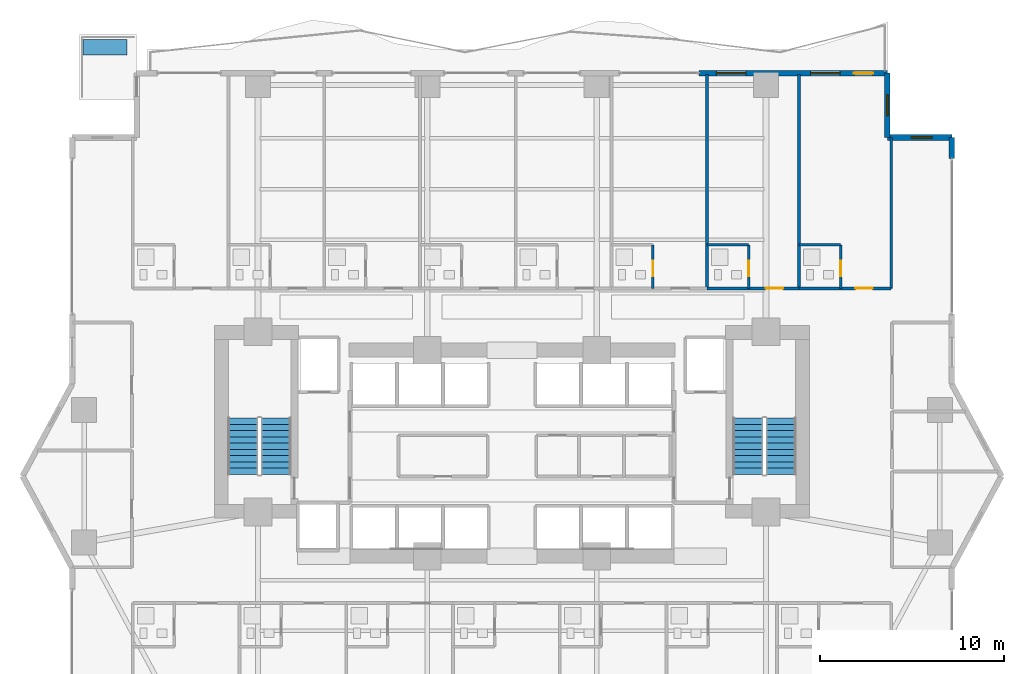
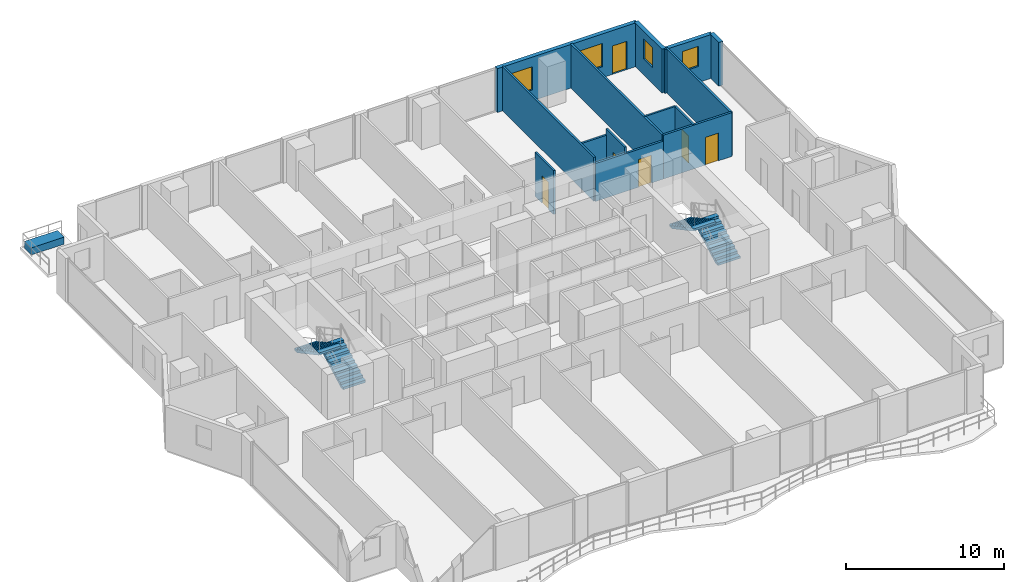
# One storey, part 25 of 29: 14 walls, 6 doors, 4 stair flights, 4 windows, 1 building element part, 10 openings, 2 elements without a shape of their own.
"""IFC4 building model written with IfcOpenShell, lengths in metres."""

from ifc_helpers import new_model, si_unit, direction, frame, frame_2d, origin, origin_2d, place, context, subcontext, project, spatial, polyline, rectangle, outline, extrude, material, layer, layer_set, type_object, element, fill, aggregate, save


model = new_model("IFC4")

# Units and contexts
model_context = context("Model", 3, precision=1e-05, world=origin(), true_north=direction((0.0, 1.0)))
body_context = subcontext(model_context, "Body", "Model", "MODEL_VIEW")
ifc_project = project(units=[si_unit("LENGTHUNIT", "METRE"), si_unit("AREAUNIT", "SQUARE_METRE"), si_unit("VOLUMEUNIT", "CUBIC_METRE"), si_unit("PLANEANGLEUNIT", "RADIAN"), si_unit("MASSUNIT", "GRAM", prefix="KILO")], contexts=[model_context])

# Site, building, storey
site_placement = place(None, origin())
site = spatial("IfcSite", under=ifc_project, at=site_placement, CompositionType="ELEMENT")
building_placement = place(site_placement, origin())
building = spatial("IfcBuilding", under=site, at=building_placement, Name="Zuhayl Quay Hotel", CompositionType="ELEMENT")
storey_placement = place(building_placement, frame((0.0, 0.0, 158.550048828125)))
storey = spatial("IfcBuildingStorey", under=building, at=storey_placement, Name="L40", CompositionType="ELEMENT", Elevation=158.550048828125)

# Wall, openings, door, windows
ifc_material_1 = material(Name="Precast concrete C45/55", Category="concrete")
ifc_layer_1 = layer(ifc_material_1, 0.300048828125, Name="Precast concrete C45/55", Category="concrete")
ifc_layer_set_1 = layer_set([ifc_layer_1], Name="Precast concrete C45/55")
wall_type_1 = type_object("IfcWallType", Name="WL_EXT_300", PredefinedType="STANDARD", material=ifc_layer_set_1)
wall_1_placement = place(storey_placement, frame((10.14990234375, 28.39990234375, 0.0), z_axis=(0.0, 0.0, 1.0), x_axis=(1.0, 0.0, 0.0)))
wall_1 = element("IfcWall", 1, at=wall_1_placement, inside=storey, type_object=wall_type_1, Name="L40 Exterior Precast Wall ENV_L40_N_EW7", PredefinedType="STANDARD", context=body_context, shape_type="SweptSolid", body=[
    extrude(rectangle(XDim=10.25, YDim=0.300048828125, at=frame_2d((5.125, 0.0))), origin(), (0.0, 0.0, 1.0), 3.389892578125),
])
opening_1_placement = place(wall_1_placement, frame((8.425048828125, 0.0, 0.0)))
opening_1 = element("IfcOpeningElement", 2, at=opening_1_placement, cuts=wall_1, Name="Opening DG1", PredefinedType="OPENING", context=body_context, shape_type="SweptSolid", body=[
    extrude(rectangle(XDim=1.050048828125, YDim=2.199951171875, at=frame_2d((0.52490234375, 1.10009765625))), frame((0.0, 0.159912109375, 0.0), z_axis=(0.0, -1.0, 0.0), x_axis=(1.0, 0.0, 0.0)), (0.0, 0.0, 1.0), 0.320068359375),
])
opening_2_placement = place(wall_1_placement, frame((0.9599609375, 0.0, 0.85009765625)))
opening_2 = element("IfcOpeningElement", 3, at=opening_2_placement, cuts=wall_1, Name="Opening W01", PredefinedType="OPENING", context=body_context, shape_type="SweptSolid", body=[
    extrude(rectangle(XDim=1.60009765625, YDim=1.800048828125, at=frame_2d((0.800048828125, 0.89990234375))), frame((0.0, 0.159912109375, 0.0), z_axis=(0.0, -1.0, 0.0), x_axis=(1.0, 0.0, 0.0)), (0.0, 0.0, 1.0), 0.320068359375),
])
opening_3_placement = place(wall_1_placement, frame((6.072509765625, 0.0, 0.85009765625)))
opening_3 = element("IfcOpeningElement", 4, at=opening_3_placement, cuts=wall_1, Name="Opening W01", PredefinedType="OPENING", context=body_context, shape_type="SweptSolid", body=[
    extrude(rectangle(XDim=1.60009765625, YDim=1.800048828125, at=frame_2d((0.800048828125, 0.89990234375))), frame((0.0, 0.159912109375, 0.0), z_axis=(0.0, -1.0, 0.0), x_axis=(1.0, 0.0, 0.0)), (0.0, 0.0, 1.0), 0.320068359375),
])
ifc_material_2 = material(Name="Anodised Aluminium and Dark Solar Glass", Category="aluminium")
door_type_1 = type_object("IfcDoorType", Name="DR_EXT_TERR_1050", OperationType="NOTDEFINED", PredefinedType="DOOR", material=ifc_material_2)
door_1_placement = place(opening_1_placement, origin())
door_1 = element("IfcDoor", 5, at=door_1_placement, inside=storey, type_object=door_type_1, Name="L40 North Rippling Balcony Door", OperationType="SINGLE_SWING_LEFT", OverallHeight=2.199951171875, OverallWidth=1.050048828125, PredefinedType="DOOR", context=body_context, shape_type="SweptSolid", body=[
    extrude(rectangle(XDim=1.050048828125, YDim=2.199951171875, at=frame_2d((0.52490234375, 1.10009765625))), frame((0.0, 0.02490234375, 0.0), z_axis=(0.0, -1.0, 0.0), x_axis=(1.0, 0.0, 0.0)), (0.0, 0.0, 1.0), 0.050048828125),
])
fill(opening_1, door_1)
ifc_material_3 = material(Name="Dark Ceramic-Fritted Solar Glass", Category="glass")
window_type_1 = type_object("IfcWindowType", Name="WN_OPERABLE_1600", PartitioningType="DOUBLE_PANEL_VERTICAL", PredefinedType="WINDOW", material=ifc_material_3)
window_1_placement = place(opening_2_placement, origin())
window_1 = element("IfcWindow", 6, at=window_1_placement, inside=storey, type_object=window_type_1, Name="L40 Operable Facade Window 7-1", OverallHeight=1.800048828125, OverallWidth=1.60009765625, PartitioningType="SINGLE_PANEL", PredefinedType="WINDOW", context=body_context, shape_type="SweptSolid", body=[
    extrude(rectangle(XDim=1.60009765625, YDim=1.800048828125, at=frame_2d((0.800048828125, 0.89990234375))), frame((0.0, 0.030029296875, 0.0), z_axis=(0.0, -1.0, 0.0), x_axis=(1.0, 0.0, 0.0)), (0.0, 0.0, 1.0), 0.06005859375),
])
fill(opening_2, window_1)
window_2_placement = place(opening_3_placement, origin())
window_2 = element("IfcWindow", 7, at=window_2_placement, inside=storey, type_object=window_type_1, Name="L40 Operable Facade Window 7-2", OverallHeight=1.800048828125, OverallWidth=1.60009765625, PartitioningType="SINGLE_PANEL", PredefinedType="WINDOW", context=body_context, shape_type="SweptSolid", body=[
    extrude(rectangle(XDim=1.60009765625, YDim=1.800048828125, at=frame_2d((0.800048828125, 0.89990234375))), frame((0.0, 0.030029296875, 0.0), z_axis=(0.0, -1.0, 0.0), x_axis=(1.0, 0.0, 0.0)), (0.0, 0.0, 1.0), 0.06005859375),
])
fill(opening_3, window_2)

# Wall, opening, window
wall_2_placement = place(storey_placement, frame((20.39990234375, 28.39990234375, 0.0), z_axis=(0.0, 0.0, 1.0), x_axis=(0.0, -1.0, 0.0)))
wall_2 = element("IfcWall", 8, at=wall_2_placement, inside=storey, type_object=wall_type_1, Name="L40 Exterior Precast Wall ENV_L40_EW09", PredefinedType="STANDARD", context=body_context, shape_type="SweptSolid", body=[
    extrude(rectangle(XDim=3.5, YDim=0.300048828125, at=frame_2d((1.75, 0.0))), origin(), (0.0, 0.0, 1.0), 3.389892578125),
])
opening_4_placement = place(wall_2_placement, frame((1.1650390625, 0.0, 1.25)))
opening_4 = element("IfcOpeningElement", 9, at=opening_4_placement, cuts=wall_2, Name="Opening W01N", PredefinedType="OPENING", context=body_context, shape_type="SweptSolid", body=[
    extrude(rectangle(XDim=1.14990234375, YDim=1.550048828125, at=frame_2d((0.574951171875, 0.77490234375))), frame((0.0, 0.159912109375, 0.0), z_axis=(0.0, -1.0, 0.0), x_axis=(1.0, 0.0, 0.0)), (0.0, 0.0, 1.0), 0.320068359375),
])
window_type_2 = type_object("IfcWindowType", Name="WN_NOTCH_1350", PartitioningType="SINGLE_PANEL", PredefinedType="WINDOW", material=ifc_material_3)
window_3_placement = place(opening_4_placement, origin())
window_3 = element("IfcWindow", 10, at=window_3_placement, inside=storey, type_object=window_type_2, Name="L40 Corner Notch Window 9", OverallHeight=1.550048828125, OverallWidth=1.14990234375, PartitioningType="SINGLE_PANEL", PredefinedType="WINDOW", context=body_context, shape_type="SweptSolid", body=[
    extrude(rectangle(XDim=1.14990234375, YDim=1.550048828125, at=frame_2d((0.574951171875, 0.77490234375))), frame((0.0, 0.030029296875, 0.0), z_axis=(0.0, -1.0, 0.0), x_axis=(1.0, 0.0, 0.0)), (0.0, 0.0, 1.0), 0.06005859375),
])
fill(opening_4, window_3)

wall_3_placement = place(storey_placement, frame((20.39990234375, 24.89990234375, 0.0), z_axis=(0.0, 0.0, 1.0), x_axis=(1.0, 0.0, 0.0)))
wall_3 = element("IfcWall", 11, at=wall_3_placement, inside=storey, type_object=wall_type_1, Name="L40 Exterior Precast Wall ENV_L40_EW10", PredefinedType="STANDARD", context=body_context, shape_type="SweptSolid", body=[
    extrude(rectangle(XDim=3.5, YDim=0.300048828125, at=frame_2d((1.75, 0.0))), origin(), (0.0, 0.0, 1.0), 3.389892578125),
])
opening_5_placement = place(wall_3_placement, frame((1.284912109375, 0.0, 1.25)))
opening_5 = element("IfcOpeningElement", 12, at=opening_5_placement, cuts=wall_3, Name="Opening W01N", PredefinedType="OPENING", context=body_context, shape_type="SweptSolid", body=[
    extrude(rectangle(XDim=1.14990234375, YDim=1.550048828125, at=frame_2d((0.574951171875, 0.77490234375))), frame((0.0, 0.159912109375, 0.0), z_axis=(0.0, -1.0, 0.0), x_axis=(1.0, 0.0, 0.0)), (0.0, 0.0, 1.0), 0.320068359375),
])
window_4_placement = place(opening_5_placement, origin())
window_4 = element("IfcWindow", 13, at=window_4_placement, inside=storey, type_object=window_type_2, Name="L40 Corner Notch Window 10", OverallHeight=1.550048828125, OverallWidth=1.14990234375, PartitioningType="SINGLE_PANEL", PredefinedType="WINDOW", context=body_context, shape_type="SweptSolid", body=[
    extrude(rectangle(XDim=1.14990234375, YDim=1.550048828125, at=frame_2d((0.574951171875, 0.77490234375))), frame((0.0, 0.030029296875, 0.0), z_axis=(0.0, -1.0, 0.0), x_axis=(1.0, 0.0, 0.0)), (0.0, 0.0, 1.0), 0.06005859375),
])
fill(opening_5, window_4)

# Walls
wall_4_placement = place(storey_placement, frame((23.89990234375, 24.89990234375, 0.0), z_axis=(0.0, 0.0, 1.0), x_axis=(0.0, -1.0, 0.0)))
element("IfcWall", 14, at=wall_4_placement, inside=storey, type_object=wall_type_1, Name="L40 Exterior Precast Wall ENV_L40_E11_EW1", PredefinedType="STANDARD", context=body_context, shape_type="SweptSolid", body=[
    extrude(rectangle(XDim=1.14990234375, YDim=0.300048828125, at=frame_2d((0.574951171875, 0.0))), origin(), (0.0, 0.0, 1.0), 3.389892578125),
])
ifc_material_4 = material(Name="Acoustic Gypsum Partition STC-58")
ifc_layer_2 = layer(ifc_material_4, 0.14990234375, Name="Acoustic Gypsum Partition STC-58")
ifc_layer_set_2 = layer_set([ifc_layer_2], Name="Acoustic Gypsum Partition STC-58")
wall_type_2 = type_object("IfcWallType", Name="WL_PART_150", PredefinedType="PARTITIONING", material=ifc_layer_set_2)
for number, where, z_axis, x_axis, name in (
    (15, (10.60009765625, 16.699951171875, 0.0), (0.0, 0.0, 1.0), (0.0, 1.0, 0.0), "L40 Partition IW_L40_NU06_E"),
    (16, (15.60009765625, 16.699951171875, 0.0), (0.0, 0.0, 1.0), (0.0, 1.0, 0.0), "L40 Partition IW_L40_NU07_E"),
):
    element("IfcWall", number, at=place(storey_placement, frame(where, z_axis=z_axis, x_axis=x_axis)), inside=storey, type_object=wall_type_2, Name=name, PredefinedType="PARTITIONING", context=body_context, shape_type="SweptSolid", body=[
        extrude(rectangle(XDim=11.6201171875, YDim=0.14990234375, at=frame_2d((5.81005859375, 0.0))), origin(), (0.0, 0.0, 1.0), 3.389892578125),
    ])
wall_5_placement = place(storey_placement, frame((20.60009765625, 16.699951171875, 0.0), z_axis=(0.0, 0.0, 1.0), x_axis=(0.0, 1.0, 0.0)))
element("IfcWall", 17, at=wall_5_placement, inside=storey, type_object=wall_type_2, Name="L40 Partition IW_L40_NU08_E", PredefinedType="PARTITIONING", context=body_context, shape_type="SweptSolid", body=[
    extrude(rectangle(XDim=8.199951171875, YDim=0.14990234375, at=frame_2d((4.10009765625, 0.0))), origin(), (0.0, 0.0, 1.0), 3.389892578125),
])

# Wall, opening, door
ifc_layer_3 = layer(ifc_material_4, 0.159912109375, Name="Acoustic Gypsum Partition STC-58")
ifc_layer_set_3 = layer_set([ifc_layer_3], Name="Acoustic Gypsum Partition STC-58")
wall_type_3 = type_object("IfcWallType", Name="WL_PART_CORR_160", PredefinedType="PARTITIONING", material=ifc_layer_set_3)
wall_6_placement = place(storey_placement, frame((10.60009765625, 16.699951171875, 0.0), z_axis=(0.0, 0.0, 1.0), x_axis=(1.0, 0.0, 0.0)))
wall_6 = element("IfcWall", 18, at=wall_6_placement, inside=storey, type_object=wall_type_3, Name="L40 Partition IW_L40_NU07_COR", PredefinedType="PARTITIONING", context=body_context, shape_type="SweptSolid", body=[
    extrude(rectangle(XDim=5.0, YDim=0.159912109375, at=frame_2d((2.5, 0.0))), origin(), (0.0, 0.0, 1.0), 2.932861328125),
])
opening_6_placement = place(wall_6_placement, frame((3.175048828125, 0.0, 0.0)))
opening_6 = element("IfcOpeningElement", 19, at=opening_6_placement, cuts=wall_6, Name="Opening D03", PredefinedType="OPENING", context=body_context, shape_type="SweptSolid", body=[
    extrude(rectangle(XDim=0.949951171875, YDim=2.14990234375, at=frame_2d((0.47509765625, 1.074951171875))), frame((0.0, 0.08984375, 0.0), z_axis=(0.0, -1.0, 0.0), x_axis=(1.0, 0.0, 0.0)), (0.0, 0.0, 1.0), 0.179931640625),
])
ifc_material_5 = material(Name="Solid Walnut Acoustic Fire Door")
door_type_2 = type_object("IfcDoorType", Name="DR_SUITE_950", OperationType="NOTDEFINED", PredefinedType="DOOR", material=ifc_material_5)
door_2_placement = place(opening_6_placement, origin())
door_2 = element("IfcDoor", 20, at=door_2_placement, inside=storey, type_object=door_type_2, Name="L40 Deluxe Gulf Guest Room L40-07 Entrance Door", OperationType="SINGLE_SWING_RIGHT", OverallHeight=2.14990234375, OverallWidth=0.949951171875, PredefinedType="DOOR", context=body_context, shape_type="SweptSolid", body=[
    extrude(rectangle(XDim=0.949951171875, YDim=2.14990234375, at=frame_2d((0.47509765625, 1.074951171875))), frame((0.0, 0.02490234375, 0.0), z_axis=(0.0, -1.0, 0.0), x_axis=(1.0, 0.0, 0.0)), (0.0, 0.0, 1.0), 0.050048828125),
])
fill(opening_6, door_2)

wall_7_placement = place(storey_placement, frame((15.60009765625, 16.699951171875, 0.0), z_axis=(0.0, 0.0, 1.0), x_axis=(1.0, 0.0, 0.0)))
wall_7 = element("IfcWall", 21, at=wall_7_placement, inside=storey, type_object=wall_type_3, Name="L40 Partition IW_L40_NU08_COR", PredefinedType="PARTITIONING", context=body_context, shape_type="SweptSolid", body=[
    extrude(rectangle(XDim=5.0, YDim=0.159912109375, at=frame_2d((2.5, 0.0))), origin(), (0.0, 0.0, 1.0), 3.389892578125),
])
opening_7_placement = place(wall_7_placement, frame((3.050048828125, 0.0, 0.0)))
opening_7 = element("IfcOpeningElement", 22, at=opening_7_placement, cuts=wall_7, Name="Opening D03", PredefinedType="OPENING", context=body_context, shape_type="SweptSolid", body=[
    extrude(rectangle(XDim=0.949951171875, YDim=2.14990234375, at=frame_2d((0.47509765625, 1.074951171875))), frame((0.0, 0.08984375, 0.0), z_axis=(0.0, -1.0, 0.0), x_axis=(1.0, 0.0, 0.0)), (0.0, 0.0, 1.0), 0.179931640625),
])
door_3_placement = place(opening_7_placement, origin())
door_3 = element("IfcDoor", 23, at=door_3_placement, inside=storey, type_object=door_type_2, Name="L40 Deluxe Gulf Guest Room L40-08 Entrance Door", OperationType="SINGLE_SWING_RIGHT", OverallHeight=2.14990234375, OverallWidth=0.949951171875, PredefinedType="DOOR", context=body_context, shape_type="SweptSolid", body=[
    extrude(rectangle(XDim=0.949951171875, YDim=2.14990234375, at=frame_2d((0.47509765625, 1.074951171875))), frame((0.0, 0.02490234375, 0.0), z_axis=(0.0, -1.0, 0.0), x_axis=(1.0, 0.0, 0.0)), (0.0, 0.0, 1.0), 0.050048828125),
])
fill(opening_7, door_3)

ifc_material_6 = material(Name="Moisture-Resistant Sanitarychase Gypsum")
ifc_layer_4 = layer(ifc_material_6, 0.135009765625, Name="Moisture-Resistant Sanitarychase Gypsum")
ifc_layer_set_4 = layer_set([ifc_layer_4], Name="Moisture-Resistant Sanitarychase Gypsum")
wall_type_4 = type_object("IfcWallType", Name="WL_PART_PLUMB_150", PredefinedType="PLUMBINGWALL", material=ifc_layer_set_4)
wall_8_placement = place(storey_placement, frame((7.659912109375, 16.699951171875, 0.0), z_axis=(0.0, 0.0, 1.0), x_axis=(0.0, 1.0, 0.0)))
wall_8 = element("IfcWall", 24, at=wall_8_placement, inside=storey, type_object=wall_type_4, Name="L40 Partition IW_L40_NU06_BE", PredefinedType="PLUMBINGWALL", context=body_context, shape_type="SweptSolid", body=[
    extrude(rectangle(XDim=2.360107421875, YDim=0.135009765625, at=frame_2d((1.18017578125, 0.0))), origin(), (0.0, 0.0, 1.0), 3.389892578125),
])
opening_8_placement = place(wall_8_placement, frame((0.64990234375, 0.0, 0.0)))
opening_8 = element("IfcOpeningElement", 25, at=opening_8_placement, cuts=wall_8, Name="Opening D04", PredefinedType="OPENING", context=body_context, shape_type="SweptSolid", body=[
    extrude(rectangle(XDim=0.85009765625, YDim=2.10009765625, at=frame_2d((0.425048828125, 1.050048828125))), frame((0.0, 0.077392578125, 0.0), z_axis=(0.0, -1.0, 0.0), x_axis=(1.0, 0.0, 0.0)), (0.0, 0.0, 1.0), 0.155029296875),
])
ifc_material_7 = material(Name="Moisture-Resistant Walnut Veneer")
door_type_3 = type_object("IfcDoorType", Name="DR_BATH_850", OperationType="NOTDEFINED", PredefinedType="DOOR", material=ifc_material_7)
door_4_placement = place(opening_8_placement, origin())
door_4 = element("IfcDoor", 26, at=door_4_placement, inside=storey, type_object=door_type_3, Name="L40 Deluxe Gulf Guest Room L40-06 En-Suite Door", OperationType="SINGLE_SWING_LEFT", OverallHeight=2.10009765625, OverallWidth=0.85009765625, PredefinedType="DOOR", context=body_context, shape_type="SweptSolid", body=[
    extrude(rectangle(XDim=0.85009765625, YDim=2.10009765625, at=frame_2d((0.425048828125, 1.050048828125))), frame((0.0, 0.02490234375, 0.0), z_axis=(0.0, -1.0, 0.0), x_axis=(1.0, 0.0, 0.0)), (0.0, 0.0, 1.0), 0.050048828125),
])
fill(opening_8, door_4)

wall_9_placement = place(storey_placement, frame((12.860107421875, 16.699951171875, 0.0), z_axis=(0.0, 0.0, 1.0), x_axis=(0.0, 1.0, 0.0)))
wall_9 = element("IfcWall", 27, at=wall_9_placement, inside=storey, type_object=wall_type_4, Name="L40 Partition IW_L40_NU07_BE", PredefinedType="PLUMBINGWALL", context=body_context, shape_type="SweptSolid", body=[
    extrude(rectangle(XDim=2.360107421875, YDim=0.135009765625, at=frame_2d((1.18017578125, 0.0))), origin(), (0.0, 0.0, 1.0), 3.389892578125),
])
opening_9_placement = place(wall_9_placement, frame((0.64990234375, 0.0, 0.0)))
opening_9 = element("IfcOpeningElement", 28, at=opening_9_placement, cuts=wall_9, Name="Opening D04", PredefinedType="OPENING", context=body_context, shape_type="SweptSolid", body=[
    extrude(rectangle(XDim=0.85009765625, YDim=2.10009765625, at=frame_2d((0.425048828125, 1.050048828125))), frame((0.0, 0.077392578125, 0.0), z_axis=(0.0, -1.0, 0.0), x_axis=(1.0, 0.0, 0.0)), (0.0, 0.0, 1.0), 0.155029296875),
])
door_5_placement = place(opening_9_placement, origin())
door_5 = element("IfcDoor", 29, at=door_5_placement, inside=storey, type_object=door_type_3, Name="L40 Deluxe Gulf Guest Room L40-07 En-Suite Door", OperationType="SINGLE_SWING_LEFT", OverallHeight=2.10009765625, OverallWidth=0.85009765625, PredefinedType="DOOR", context=body_context, shape_type="SweptSolid", body=[
    extrude(rectangle(XDim=0.85009765625, YDim=2.10009765625, at=frame_2d((0.425048828125, 1.050048828125))), frame((0.0, 0.02490234375, 0.0), z_axis=(0.0, -1.0, 0.0), x_axis=(1.0, 0.0, 0.0)), (0.0, 0.0, 1.0), 0.050048828125),
])
fill(opening_9, door_5)

wall_10_placement = place(storey_placement, frame((17.860107421875, 16.699951171875, 0.0), z_axis=(0.0, 0.0, 1.0), x_axis=(0.0, 1.0, 0.0)))
wall_10 = element("IfcWall", 30, at=wall_10_placement, inside=storey, type_object=wall_type_4, Name="L40 Partition IW_L40_NU08_BE", PredefinedType="PLUMBINGWALL", context=body_context, shape_type="SweptSolid", body=[
    extrude(rectangle(XDim=2.360107421875, YDim=0.135009765625, at=frame_2d((1.18017578125, 0.0))), origin(), (0.0, 0.0, 1.0), 3.389892578125),
])
opening_10_placement = place(wall_10_placement, frame((0.64990234375, 0.0, 0.0)))
opening_10 = element("IfcOpeningElement", 31, at=opening_10_placement, cuts=wall_10, Name="Opening D04", PredefinedType="OPENING", context=body_context, shape_type="SweptSolid", body=[
    extrude(rectangle(XDim=0.85009765625, YDim=2.10009765625, at=frame_2d((0.425048828125, 1.050048828125))), frame((0.0, 0.077392578125, 0.0), z_axis=(0.0, -1.0, 0.0), x_axis=(1.0, 0.0, 0.0)), (0.0, 0.0, 1.0), 0.155029296875),
])
door_6_placement = place(opening_10_placement, origin())
door_6 = element("IfcDoor", 32, at=door_6_placement, inside=storey, type_object=door_type_3, Name="L40 Deluxe Gulf Guest Room L40-08 En-Suite Door", OperationType="SINGLE_SWING_LEFT", OverallHeight=2.10009765625, OverallWidth=0.85009765625, PredefinedType="DOOR", context=body_context, shape_type="SweptSolid", body=[
    extrude(rectangle(XDim=0.85009765625, YDim=2.10009765625, at=frame_2d((0.425048828125, 1.050048828125))), frame((0.0, 0.02490234375, 0.0), z_axis=(0.0, -1.0, 0.0), x_axis=(1.0, 0.0, 0.0)), (0.0, 0.0, 1.0), 0.050048828125),
])
fill(opening_10, door_6)

# Walls
wall_11_placement = place(storey_placement, frame((10.60009765625, 19.06005859375, 0.0), z_axis=(0.0, 0.0, 1.0), x_axis=(1.0, 0.0, 0.0)))
element("IfcWall", 33, at=wall_11_placement, inside=storey, type_object=wall_type_4, Name="L40 Partition IW_L40_NU07_BN", PredefinedType="PLUMBINGWALL", context=body_context, shape_type="SweptSolid", body=[
    extrude(rectangle(XDim=2.260009765625, YDim=0.135009765625, at=frame_2d((1.1298828125, 0.0))), origin(), (0.0, 0.0, 1.0), 2.932861328125),
])
wall_12_placement = place(storey_placement, frame((15.60009765625, 19.06005859375, 0.0), z_axis=(0.0, 0.0, 1.0), x_axis=(1.0, 0.0, 0.0)))
element("IfcWall", 34, at=wall_12_placement, inside=storey, type_object=wall_type_4, Name="L40 Partition IW_L40_NU08_BN", PredefinedType="PLUMBINGWALL", context=body_context, shape_type="SweptSolid", body=[
    extrude(rectangle(XDim=2.260009765625, YDim=0.135009765625, at=frame_2d((1.1298828125, 0.0))), origin(), (0.0, 0.0, 1.0), 3.389892578125),
])

# Stair, stair flights
ifc_material_8 = material(Name="Concrete C45/55", Category="concrete")
stair_type = type_object("IfcStairType", Name="ST_DOGLEG_TOWER", PredefinedType="HALF_TURN_STAIR", material=ifc_material_8)
stair_1_placement = place(storey_placement, origin())
stair_1 = element("IfcStair", 35, at=stair_1_placement, inside=storey, type_object=stair_type, Name="L40 Smokeproof Exit Stair ST1", PredefinedType="HALF_TURN_STAIR")
ifc_layer_5 = layer(ifc_material_8, 0.159912109375, Name="Concrete C45/55", Category="concrete")
ifc_layer_set_5 = layer_set([ifc_layer_5], Name="Concrete C45/55")
stair_flight_type = type_object("IfcStairFlightType", Name="SF_CONC_164", PredefinedType="STRAIGHT", material=ifc_layer_set_5)
stair_flight_1_placement = place(storey_placement, frame((-12.820068359375, 6.590087890625, 0.0), z_axis=(0.0, 0.0, 1.0), x_axis=(0.0, 1.0, 0.0)))
stair_flight_1 = element("IfcStairFlight", 36, at=stair_flight_1_placement, type_object=stair_flight_type, Name="ST1 flight 1", NumberOfRisers=10, NumberOfTreads=9, PredefinedType="STRAIGHT", RiserHeight=0.1825, TreadLength=0.34, context=body_context, shape_type="SweptSolid", body=[
    extrude(outline(polyline([(0.0, 0.0), (0.0, 0.1826171875), (0.340087890625, 0.1826171875), (0.340087890625, 0.364990234375), (0.679931640625, 0.364990234375), (0.679931640625, 0.547607421875), (1.02001953125, 0.547607421875), (1.02001953125, 0.72998046875), (1.360107421875, 0.72998046875), (1.360107421875, 0.91259765625), (1.699951171875, 0.91259765625), (1.699951171875, 1.094970703125), (2.0400390625, 1.094970703125), (2.0400390625, 1.277587890625), (2.3798828125, 1.277587890625), (2.3798828125, 1.4599609375), (2.719970703125, 1.4599609375), (2.719970703125, 1.642578125), (3.06005859375, 1.642578125), (3.06005859375, 1.824951171875), (3.06005859375, 1.472412109375), (0.31689453125, 0.0), (0.0, 0.0)])), frame((0.0, 0.81982421875, 0.0), z_axis=(0.0, -1.0, 0.0), x_axis=(1.0, 0.0, 0.0)), (0.0, 0.0, 1.0), 1.639892578125),
])
stair_flight_2_placement = place(storey_placement, frame((-14.610107421875, 9.64990234375, 1.824951171875), z_axis=(0.0, 0.0, 1.0), x_axis=(0.0, -1.0, 0.0)))
stair_flight_2 = element("IfcStairFlight", 37, at=stair_flight_2_placement, type_object=stair_flight_type, Name="ST1 flight 2", NumberOfRisers=10, NumberOfTreads=9, PredefinedType="STRAIGHT", RiserHeight=0.1825, TreadLength=0.34, context=body_context, shape_type="SweptSolid", body=[
    extrude(outline(polyline([(0.0, 0.0), (0.0, 0.1826171875), (0.340087890625, 0.1826171875), (0.340087890625, 0.364990234375), (0.679931640625, 0.364990234375), (0.679931640625, 0.547607421875), (1.02001953125, 0.547607421875), (1.02001953125, 0.72998046875), (1.360107421875, 0.72998046875), (1.360107421875, 0.91259765625), (1.699951171875, 0.91259765625), (1.699951171875, 1.094970703125), (2.0400390625, 1.094970703125), (2.0400390625, 1.277587890625), (2.3798828125, 1.277587890625), (2.3798828125, 1.4599609375), (2.719970703125, 1.4599609375), (2.719970703125, 1.642578125), (3.06005859375, 1.642578125), (3.06005859375, 1.824951171875), (3.06005859375, 1.472412109375), (0.31689453125, 0.0), (0.0, 0.0)])), frame((0.0, 0.81982421875, 0.0), z_axis=(0.0, -1.0, 0.0), x_axis=(1.0, 0.0, 0.0)), (0.0, 0.0, 1.0), 1.639892578125),
])
aggregate(stair_1, [stair_flight_1, stair_flight_2])

stair_2_placement = place(storey_placement, origin())
stair_2 = element("IfcStair", 38, at=stair_2_placement, inside=storey, type_object=stair_type, Name="L40 Smokeproof Exit Stair ST2", PredefinedType="HALF_TURN_STAIR")
stair_flight_3_placement = place(storey_placement, frame((14.610107421875, 6.590087890625, 0.0), z_axis=(0.0, 0.0, 1.0), x_axis=(0.0, 1.0, 0.0)))
stair_flight_3 = element("IfcStairFlight", 39, at=stair_flight_3_placement, type_object=stair_flight_type, Name="ST2 flight 1", NumberOfRisers=10, NumberOfTreads=9, PredefinedType="STRAIGHT", RiserHeight=0.1825, TreadLength=0.34, context=body_context, shape_type="SweptSolid", body=[
    extrude(outline(polyline([(0.0, 0.0), (0.0, 0.1826171875), (0.340087890625, 0.1826171875), (0.340087890625, 0.364990234375), (0.679931640625, 0.364990234375), (0.679931640625, 0.547607421875), (1.02001953125, 0.547607421875), (1.02001953125, 0.72998046875), (1.360107421875, 0.72998046875), (1.360107421875, 0.91259765625), (1.699951171875, 0.91259765625), (1.699951171875, 1.094970703125), (2.0400390625, 1.094970703125), (2.0400390625, 1.277587890625), (2.3798828125, 1.277587890625), (2.3798828125, 1.4599609375), (2.719970703125, 1.4599609375), (2.719970703125, 1.642578125), (3.06005859375, 1.642578125), (3.06005859375, 1.824951171875), (3.06005859375, 1.472412109375), (0.31689453125, 0.0), (0.0, 0.0)])), frame((0.0, 0.81982421875, 0.0), z_axis=(0.0, -1.0, 0.0), x_axis=(1.0, 0.0, 0.0)), (0.0, 0.0, 1.0), 1.639892578125),
])
stair_flight_4_placement = place(storey_placement, frame((12.820068359375, 9.64990234375, 1.824951171875), z_axis=(0.0, 0.0, 1.0), x_axis=(0.0, -1.0, 0.0)))
stair_flight_4 = element("IfcStairFlight", 40, at=stair_flight_4_placement, type_object=stair_flight_type, Name="ST2 flight 2", NumberOfRisers=10, NumberOfTreads=9, PredefinedType="STRAIGHT", RiserHeight=0.1825, TreadLength=0.34, context=body_context, shape_type="SweptSolid", body=[
    extrude(outline(polyline([(0.0, 0.0), (0.0, 0.1826171875), (0.340087890625, 0.1826171875), (0.340087890625, 0.364990234375), (0.679931640625, 0.364990234375), (0.679931640625, 0.547607421875), (1.02001953125, 0.547607421875), (1.02001953125, 0.72998046875), (1.360107421875, 0.72998046875), (1.360107421875, 0.91259765625), (1.699951171875, 0.91259765625), (1.699951171875, 1.094970703125), (2.0400390625, 1.094970703125), (2.0400390625, 1.277587890625), (2.3798828125, 1.277587890625), (2.3798828125, 1.4599609375), (2.719970703125, 1.4599609375), (2.719970703125, 1.642578125), (3.06005859375, 1.642578125), (3.06005859375, 1.824951171875), (3.06005859375, 1.472412109375), (0.31689453125, 0.0), (0.0, 0.0)])), frame((0.0, 0.81982421875, 0.0), z_axis=(0.0, -1.0, 0.0), x_axis=(1.0, 0.0, 0.0)), (0.0, 0.0, 1.0), 1.639892578125),
])
aggregate(stair_2, [stair_flight_3, stair_flight_4])

# Building element part
ifc_layer_6 = layer(ifc_material_1, 0.550048828125, Name="Precast concrete C45/55", Category="concrete")
ifc_layer_set_6 = layer_set([ifc_layer_6], Name="Precast concrete C45/55")
building_element_part_type = type_object("IfcBuildingElementPartType", Name="PT_PLANTER_KERB", PredefinedType="PRECASTPANEL", material=ifc_layer_set_6)
building_element_part_placement = place(storey_placement, frame((-22.110107421875, 29.81005859375, 0.0), z_axis=(0.0, 0.0, 1.0), x_axis=(1.0, 0.0, 0.0)))
element("IfcBuildingElementPart", 41, at=building_element_part_placement, inside=storey, type_object=building_element_part_type, Name="L40 Spiral Sky-Terrace Planter Box NW", PredefinedType="PRECASTPANEL", context=body_context, shape_type="SweptSolid", body=[
    extrude(rectangle(XDim=2.39990234375, YDim=0.85009765625, at=origin_2d()), origin(), (0.0, 0.0, 1.0), 0.550048828125),
])

save(model, "model.ifc")
